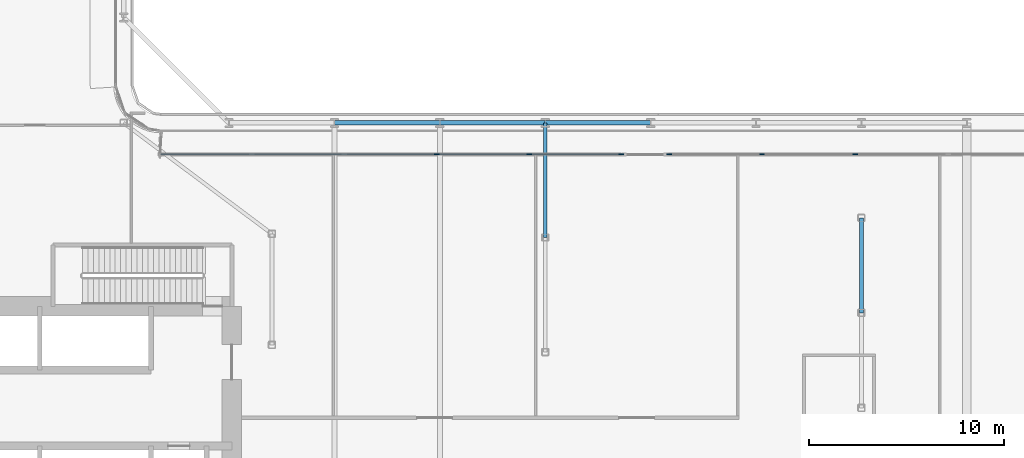
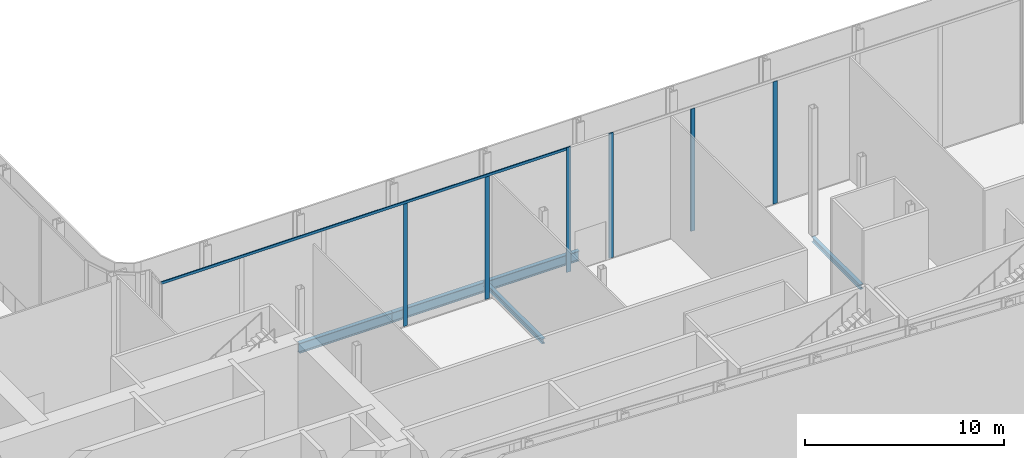
# One storey, part 8 of 36: 7 members, 5 beams, 2 elements without a shape of their own.
"""IFC4 building model written with IfcOpenShell, lengths in metres."""

from ifc_helpers import new_model, si_unit, direction, frame, origin, origin_2d, place, context, subcontext, project, spatial, rectangle, i_section, extrude, material, layer, layer_set, material_profile, profile_set, type_object, element, aggregate, save


model = new_model("IFC4")

# Units and contexts
model_context = context("Model", 3, precision=1e-05, world=origin(), true_north=direction((0.0, 1.0)))
body_context = subcontext(model_context, "Body", "Model", "MODEL_VIEW")
ifc_project = project(units=[si_unit("LENGTHUNIT", "METRE"), si_unit("AREAUNIT", "SQUARE_METRE"), si_unit("VOLUMEUNIT", "CUBIC_METRE"), si_unit("PLANEANGLEUNIT", "RADIAN"), si_unit("MASSUNIT", "GRAM", prefix="KILO")], contexts=[model_context])

# Site, building, storey
site_placement = place(None, origin())
site = spatial("IfcSite", under=ifc_project, at=site_placement, CompositionType="ELEMENT")
building_placement = place(site_placement, origin())
building = spatial("IfcBuilding", under=site, at=building_placement, Name="Kheshtan School and Residences Tower", CompositionType="ELEMENT")
storey_placement = place(building_placement, frame((0.0, 0.0, 81.199951171875)))
storey = spatial("IfcBuildingStorey", under=building, at=storey_placement, Name="L19", CompositionType="ELEMENT", Elevation=81.199951171875)

# Beams
ifc_material_1 = material(Name="Steel ASTM A992 Grade 50", Category="steel")
ifc_material_profile_1 = material_profile(ifc_material_1, i_section(OverallWidth=0.202880859375, OverallDepth=0.302978515625, WebThickness=0.007568359375, FlangeThickness=0.01318359375, FilletRadius=0.009033203125, at=origin_2d()), Name="W310x60")
ifc_profile_set_1 = profile_set([ifc_material_profile_1], Name="Steel ASTM A992 Grade 50")
beam_type_1 = type_object("IfcBeamType", Name="Beam FB1 W310x60 ASTM A992 Grade 50", PredefinedType="BEAM", material=ifc_profile_set_1)
beam_1_placement = place(storey_placement, frame((69.199951171875, 45.60009765625, -0.301513671875), z_axis=(0.0, -1.0, 0.0), x_axis=(1.0, 0.0, 0.0)))
element("IfcBeam", 1, at=beam_1_placement, inside=storey, type_object=beam_type_1, Name="Floor beam C064", PredefinedType="BEAM", context=body_context, shape_type="SweptSolid", body=[
    extrude(i_section(OverallWidth=0.202880859375, OverallDepth=0.302978515625, WebThickness=0.007568359375, FlangeThickness=0.01318359375, FilletRadius=0.009033203125, at=origin_2d()), origin(), (0.0, 0.0, 1.0), 5.8681640625),
])
beam_2_placement = place(storey_placement, frame((85.39990234375, 40.735107421875, -0.301513671875), z_axis=(0.0, -1.0, 0.0), x_axis=(1.0, 0.0, 0.0)))
element("IfcBeam", 2, at=beam_2_placement, inside=storey, type_object=beam_type_1, Name="Floor beam IC", PredefinedType="BEAM", context=body_context, shape_type="SweptSolid", body=[
    extrude(i_section(OverallWidth=0.202880859375, OverallDepth=0.302978515625, WebThickness=0.007568359375, FlangeThickness=0.01318359375, FilletRadius=0.009033203125, at=origin_2d()), origin(), (0.0, 0.0, 1.0), 4.864990234375),
])
ifc_material_profile_2 = material_profile(ifc_material_1, i_section(OverallWidth=0.22998046875, OverallDepth=0.616943359375, WebThickness=0.01318359375, FlangeThickness=0.022216796875, FilletRadius=0.0185546875, at=origin_2d()), Name="W610x140")
ifc_profile_set_2 = profile_set([ifc_material_profile_2], Name="Steel ASTM A992 Grade 50")
beam_type_2 = type_object("IfcBeamType", Name="Beam SP1 W610x140 ASTM A992 Grade 50", PredefinedType="BEAM", material=ifc_profile_set_2)
beam_3_placement = place(storey_placement, frame((58.39990234375, 45.60009765625, -0.45849609375), z_axis=(1.0, 0.0, 0.0), x_axis=(0.0, 1.0, 0.0)))
element("IfcBeam", 3, at=beam_3_placement, inside=storey, type_object=beam_type_2, Name="Spandrel beam C062-C063", PredefinedType="BEAM", context=body_context, shape_type="SweptSolid", body=[
    extrude(i_section(OverallWidth=0.22998046875, OverallDepth=0.616943359375, WebThickness=0.01318359375, FlangeThickness=0.022216796875, FilletRadius=0.0185546875, at=origin_2d()), origin(), (0.0, 0.0, 1.0), 5.400146484375),
])
beam_4_placement = place(storey_placement, frame((63.800048828125, 45.60009765625, -0.45849609375), z_axis=(1.0, 0.0, 0.0), x_axis=(0.0, 1.0, 0.0)))
element("IfcBeam", 4, at=beam_4_placement, inside=storey, type_object=beam_type_2, Name="Spandrel beam C063-C064", PredefinedType="BEAM", context=body_context, shape_type="SweptSolid", body=[
    extrude(i_section(OverallWidth=0.22998046875, OverallDepth=0.616943359375, WebThickness=0.01318359375, FlangeThickness=0.022216796875, FilletRadius=0.0185546875, at=origin_2d()), origin(), (0.0, 0.0, 1.0), 5.39990234375),
])
beam_5_placement = place(storey_placement, frame((69.199951171875, 45.60009765625, -0.45849609375), z_axis=(1.0, 0.0, 0.0), x_axis=(0.0, 1.0, 0.0)))
element("IfcBeam", 5, at=beam_5_placement, inside=storey, type_object=beam_type_2, Name="Spandrel beam C064-C065", PredefinedType="BEAM", context=body_context, shape_type="SweptSolid", body=[
    extrude(i_section(OverallWidth=0.22998046875, OverallDepth=0.616943359375, WebThickness=0.01318359375, FlangeThickness=0.022216796875, FilletRadius=0.0185546875, at=origin_2d()), origin(), (0.0, 0.0, 1.0), 5.400146484375),
])

# Curtain wall, members
ifc_material_2 = material(Name="Clear low-e glass in thermally broken aluminium frame", Category="aluminium")
ifc_layer = layer(ifc_material_2, 0.25)
ifc_layer_set = layer_set([ifc_layer], Name="Curtain wall CW-G")
curtain_wall_type = type_object("IfcCurtainWallType", Name="Curtain wall CW-G", PredefinedType="NOTDEFINED", material=ifc_layer_set)
curtain_wall_1_placement = place(storey_placement, origin())
curtain_wall_1 = element("IfcCurtainWall", 6, at=curtain_wall_1_placement, inside=storey, type_object=curtain_wall_type, Name="Curtain wall CWG5", PredefinedType="NOTDEFINED")
ifc_material_3 = material(Name="Thermally broken aluminium, dark bronze anodised", Category="aluminium")
ifc_material_profile_3 = material_profile(ifc_material_3, rectangle(XDim=0.06005859375, YDim=0.25, at=origin_2d()), Name="CW-G mullion 60x250")
ifc_profile_set_3 = profile_set([ifc_material_profile_3], Name="Thermally broken aluminium, dark bronze anodised")
member_type_1 = type_object("IfcMemberType", Name="CW-G mullion 60x250", PredefinedType="MULLION", material=ifc_profile_set_3)
member_1_placement = place(storey_placement, frame((63.64990234375, 44.0, 0.0), z_axis=(0.0, 0.0, 1.0), x_axis=(0.0, 1.0, 0.0)))
member_1 = element("IfcMember", 7, at=member_1_placement, type_object=member_type_1, Name="CWG5 mullion 4", PredefinedType="MULLION", context=body_context, shape_type="SweptSolid", body=[
    extrude(rectangle(XDim=0.06005859375, YDim=0.25, at=origin_2d()), origin(), (0.0, 0.0, 1.0), 7.489990234375),
])
member_2_placement = place(storey_placement, frame((68.389892578125, 44.0, 0.0), z_axis=(0.0, 0.0, 1.0), x_axis=(0.0, 1.0, 0.0)))
member_2 = element("IfcMember", 8, at=member_2_placement, type_object=member_type_1, Name="CWG5 mullion 5", PredefinedType="MULLION", context=body_context, shape_type="SweptSolid", body=[
    extrude(rectangle(XDim=0.06005859375, YDim=0.25, at=origin_2d()), origin(), (0.0, 0.0, 1.0), 7.489990234375),
])
member_3_placement = place(storey_placement, frame((73.10009765625, 44.0, 0.0), z_axis=(0.0, 0.0, 1.0), x_axis=(0.0, 1.0, 0.0)))
member_3 = element("IfcMember", 9, at=member_3_placement, type_object=member_type_1, Name="CWG5 mullion 6", PredefinedType="MULLION", context=body_context, shape_type="SweptSolid", body=[
    extrude(rectangle(XDim=0.06005859375, YDim=0.25, at=origin_2d()), origin(), (0.0, 0.0, 1.0), 7.650146484375),
])

curtain_wall_2_placement = place(storey_placement, origin())
curtain_wall_2 = element("IfcCurtainWall", 10, at=curtain_wall_2_placement, inside=storey, type_object=curtain_wall_type, Name="Curtain wall CWG5a", PredefinedType="NOTDEFINED")
member_4_placement = place(storey_placement, frame((75.56005859375, 44.0, 0.0), z_axis=(0.0, 0.0, 1.0), x_axis=(0.0, 1.0, 0.0)))
member_4 = element("IfcMember", 11, at=member_4_placement, type_object=member_type_1, Name="CWG5a mullion 1", PredefinedType="MULLION", context=body_context, shape_type="SweptSolid", body=[
    extrude(rectangle(XDim=0.06005859375, YDim=0.25, at=origin_2d()), origin(), (0.0, 0.0, 1.0), 7.650146484375),
])
member_5_placement = place(storey_placement, frame((80.303955078125, 44.0, 0.0), z_axis=(0.0, 0.0, 1.0), x_axis=(0.0, 1.0, 0.0)))
member_5 = element("IfcMember", 12, at=member_5_placement, type_object=member_type_1, Name="CWG5a mullion 2", PredefinedType="MULLION", context=body_context, shape_type="SweptSolid", body=[
    extrude(rectangle(XDim=0.06005859375, YDim=0.25, at=origin_2d()), origin(), (0.0, 0.0, 1.0), 7.489990234375),
])
member_6_placement = place(storey_placement, frame((85.077880859375, 44.0, 0.0), z_axis=(0.0, 0.0, 1.0), x_axis=(0.0, 1.0, 0.0)))
member_6 = element("IfcMember", 13, at=member_6_placement, type_object=member_type_1, Name="CWG5a mullion 3", PredefinedType="MULLION", context=body_context, shape_type="SweptSolid", body=[
    extrude(rectangle(XDim=0.06005859375, YDim=0.25, at=origin_2d()), origin(), (0.0, 0.0, 1.0), 7.489990234375),
])
aggregate(curtain_wall_2, [member_4, member_5, member_6])

# Member
ifc_material_profile_4 = material_profile(ifc_material_3, rectangle(XDim=0.06005859375, YDim=0.159912109375, at=origin_2d()), Name="CW-G transom 60x160")
ifc_profile_set_4 = profile_set([ifc_material_profile_4], Name="Thermally broken aluminium, dark bronze anodised")
member_type_2 = type_object("IfcMemberType", Name="CW-G transom 60x160", PredefinedType="USERDEFINED", material=ifc_profile_set_4)
member_7_placement = place(storey_placement, frame((49.49267578125, 44.0, 7.570068359375), z_axis=(1.0, 0.0, 0.0), x_axis=(0.0, 1.0, 0.0)))
member_7 = element("IfcMember", 14, at=member_7_placement, type_object=member_type_2, Name="CWG5 transom 1", ObjectType="TRANSOM", PredefinedType="USERDEFINED", context=body_context, shape_type="SweptSolid", body=[
    extrude(rectangle(XDim=0.06005859375, YDim=0.159912109375, at=origin_2d()), origin(), (0.0, 0.0, 1.0), 23.577392578125),
])

aggregate(curtain_wall_1, [member_1, member_2, member_3, member_7])

save(model, "model.ifc")
